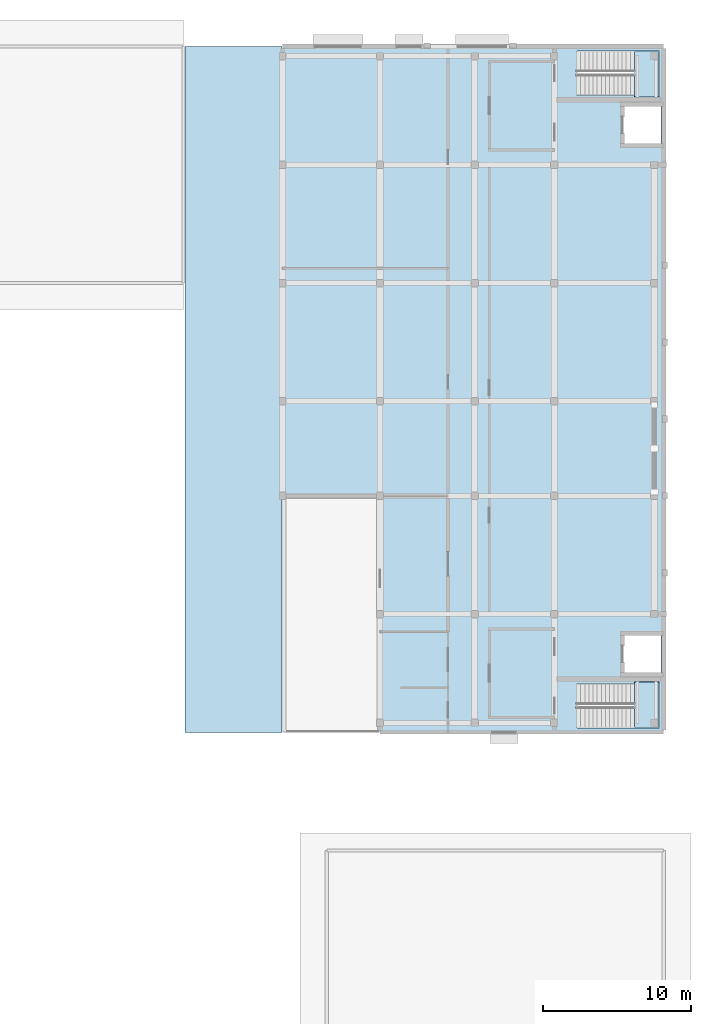
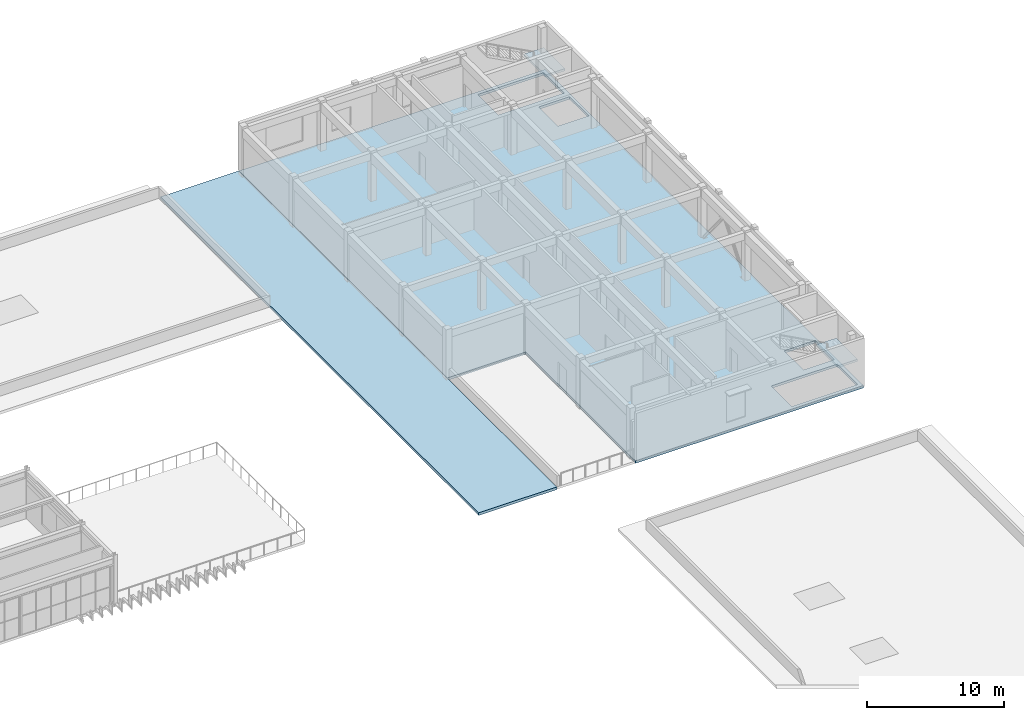
# One storey, part 24 of 45: 4 slabs, 2 elements without a shape of their own.
"""IFC4 building model written with IfcOpenShell, lengths in metres."""

from ifc_helpers import new_model, si_unit, direction, frame, origin, place, context, subcontext, project, spatial, polyline, outline, extrude, material, layer, layer_set, type_object, element, aggregate, save


model = new_model("IFC4")

# Units and contexts
model_context = context("Model", 3, precision=1e-05, world=origin(), true_north=direction((0.0, 1.0)))
body_context = subcontext(model_context, "Body", "Model", "MODEL_VIEW")
ifc_project = project(units=[si_unit("LENGTHUNIT", "METRE"), si_unit("AREAUNIT", "SQUARE_METRE"), si_unit("VOLUMEUNIT", "CUBIC_METRE"), si_unit("PLANEANGLEUNIT", "RADIAN"), si_unit("MASSUNIT", "GRAM", prefix="KILO")], contexts=[model_context])

# Site, building, storey
site_placement = place(None, origin())
site = spatial("IfcSite", under=ifc_project, at=site_placement, CompositionType="ELEMENT")
building_placement = place(site_placement, origin())
building = spatial("IfcBuilding", under=site, at=building_placement, Name="Cinchona Park Media Centre", CompositionType="ELEMENT")
storey_placement = place(building_placement, frame((0.0, 0.0, 20.39990234375)))
storey = spatial("IfcBuildingStorey", under=building, at=storey_placement, Name="L04", CompositionType="ELEMENT", Elevation=20.39990234375)

# Stair, slab
ifc_material_1 = material(Name="Concrete C35/45", Category="concrete")
stair_type_1 = type_object("IfcStairType", Name="STAIR-ST1-HT45", PredefinedType="HALF_TURN_STAIR", material=ifc_material_1)
stair_1_placement = place(storey_placement, origin())
stair_1 = element("IfcStair", 1, at=stair_1_placement, inside=storey, type_object=stair_type_1, Name="Exit Stair ST1 L04", PredefinedType="HALF_TURN_STAIR")
ifc_material_2 = material(Name="Concrete C35/45", Category="concrete")
ifc_layer_1 = layer(ifc_material_2, 0.195068359375)
ifc_layer_set_1 = layer_set([ifc_layer_1], Name="Concrete C35/45")
slab_type_1 = type_object("IfcSlabType", Name="LANDING-LDG02", PredefinedType="LANDING", material=ifc_layer_set_1)
slab_1_placement = place(storey_placement, frame((0.0, 0.0, 2.05517578125)))
slab_1 = element("IfcSlab", 2, at=slab_1_placement, type_object=slab_type_1, Name="ST1 landing 1", PredefinedType="LANDING", context=body_context, shape_type="SweptSolid", body=[
    extrude(outline(polyline([(170.02001953125, 71.919921875), (171.679931640625, 71.919921875), (171.679931640625, 75.02001953125), (170.02001953125, 75.02001953125), (170.02001953125, 71.919921875)])), origin(), (0.0, 0.0, 1.0), 0.19482421875),
])
aggregate(stair_1, [slab_1])

ifc_material_3 = material(Name="Concrete C35/45", Category="concrete")
stair_type_2 = type_object("IfcStairType", Name="STAIR-ST2-HT45", PredefinedType="HALF_TURN_STAIR", material=ifc_material_3)
stair_2_placement = place(storey_placement, origin())
stair_2 = element("IfcStair", 3, at=stair_2_placement, inside=storey, type_object=stair_type_2, Name="Exit Stair ST2 L04", PredefinedType="HALF_TURN_STAIR")
slab_2_placement = place(storey_placement, frame((0.0, 0.0, 2.05517578125)))
slab_2 = element("IfcSlab", 4, at=slab_2_placement, type_object=slab_type_1, Name="ST2 landing 1", PredefinedType="LANDING", context=body_context, shape_type="SweptSolid", body=[
    extrude(outline(polyline([(170.02001953125, 114.580078125), (171.679931640625, 114.580078125), (171.679931640625, 117.679931640625), (170.02001953125, 117.679931640625), (170.02001953125, 114.580078125)])), origin(), (0.0, 0.0, 1.0), 0.19482421875),
])
aggregate(stair_2, [slab_2])

# Slabs
ifc_material_4 = material(Name="Concrete C35/45", Category="concrete")
ifc_layer_2 = layer(ifc_material_4, 0.235107421875)
ifc_layer_set_2 = layer_set([ifc_layer_2], Name="Concrete C35/45")
slab_type_2 = type_object("IfcSlabType", Name="SLAB-RS02-235", PredefinedType="ROOF", material=ifc_layer_set_2)
slab_3_placement = place(storey_placement, frame((0.0, 0.0, -0.23486328125)))
element("IfcSlab", 5, at=slab_3_placement, inside=storey, type_object=slab_type_2, Name="Roof Slab RF-V7-STEP1", PredefinedType="ROOF", context=body_context, shape_type="SweptSolid", body=[
    extrude(outline(polyline([(139.60009765625, 71.60009765625), (146.179931640625, 71.60009765625), (146.179931640625, 118.0), (139.60009765625, 118.0), (139.60009765625, 71.60009765625)])), origin(), (0.0, 0.0, 1.0), 0.23486328125),
])
ifc_material_5 = material(Name="Concrete C35/45", Category="concrete")
ifc_layer_3 = layer(ifc_material_5, 0.219970703125)
ifc_layer_set_3 = layer_set([ifc_layer_3], Name="Concrete C35/45")
slab_type_3 = type_object("IfcSlabType", Name="SLAB-SL08-220", PredefinedType="FLOOR", material=ifc_layer_set_3)
slab_4_placement = place(storey_placement, frame((0.0, 0.0, -0.219970703125)))
element("IfcSlab", 6, at=slab_4_placement, inside=storey, type_object=slab_type_3, Name="Floor Slab V7 L04", PredefinedType="FLOOR", context=body_context, shape_type="SweptSolid", body=[
    extrude(outline(polyline([(152.800048828125, 71.60009765625), (172.0, 71.60009765625), (172.0, 118.0), (146.199951171875, 118.0), (146.199951171875, 87.60009765625), (152.800048828125, 87.60009765625), (152.800048828125, 71.60009765625)]), holes=[polyline([(166.135009765625, 71.89990234375), (171.699951171875, 71.89990234375), (171.699951171875, 74.89990234375), (166.135009765625, 74.89990234375), (166.135009765625, 71.89990234375)]), polyline([(169.199951171875, 75.5), (171.800048828125, 75.5), (171.800048828125, 78.300048828125), (169.199951171875, 78.300048828125), (169.199951171875, 75.5)]), polyline([(166.135009765625, 114.699951171875), (171.699951171875, 114.699951171875), (171.699951171875, 117.699951171875), (166.135009765625, 117.699951171875), (166.135009765625, 114.699951171875)]), polyline([(169.199951171875, 111.300048828125), (171.800048828125, 111.300048828125), (171.800048828125, 114.10009765625), (169.199951171875, 114.10009765625), (169.199951171875, 111.300048828125)])]), origin(), (0.0, 0.0, 1.0), 0.219970703125),
])

save(model, "model.ifc")
